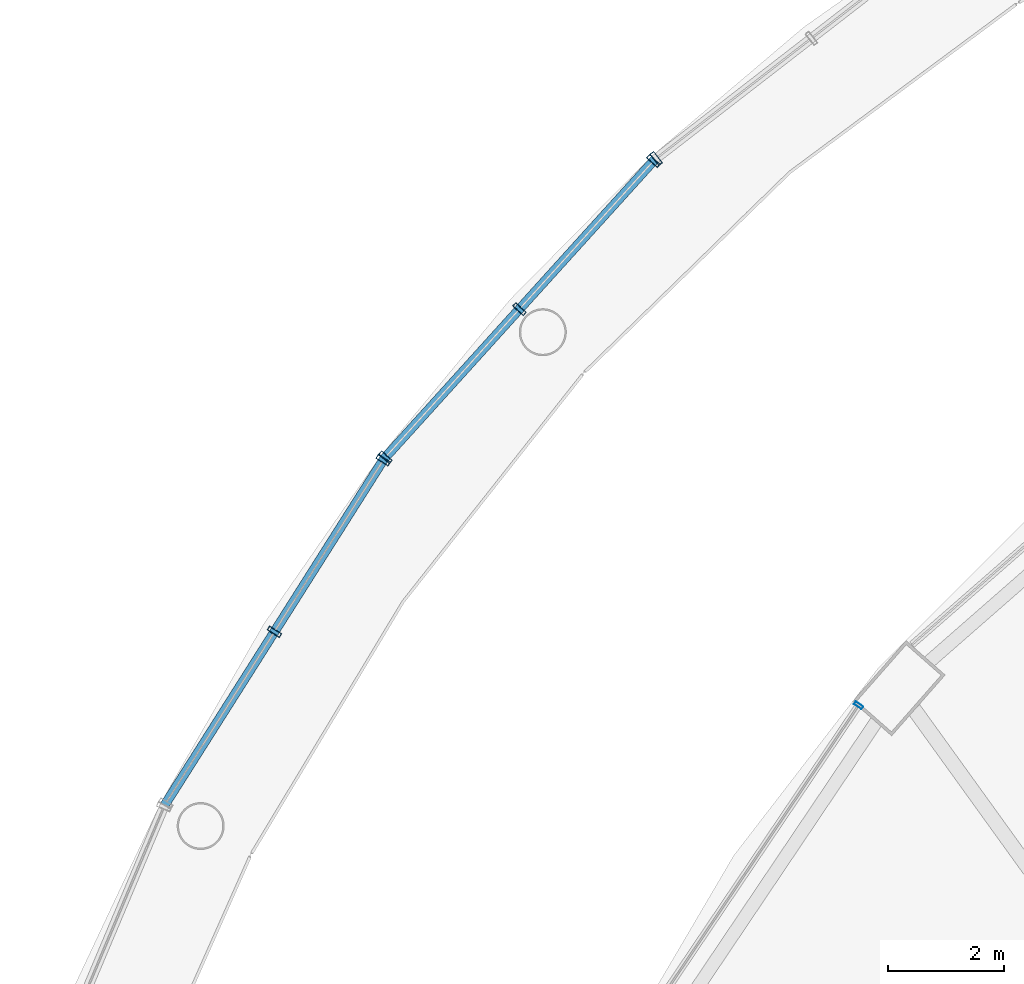
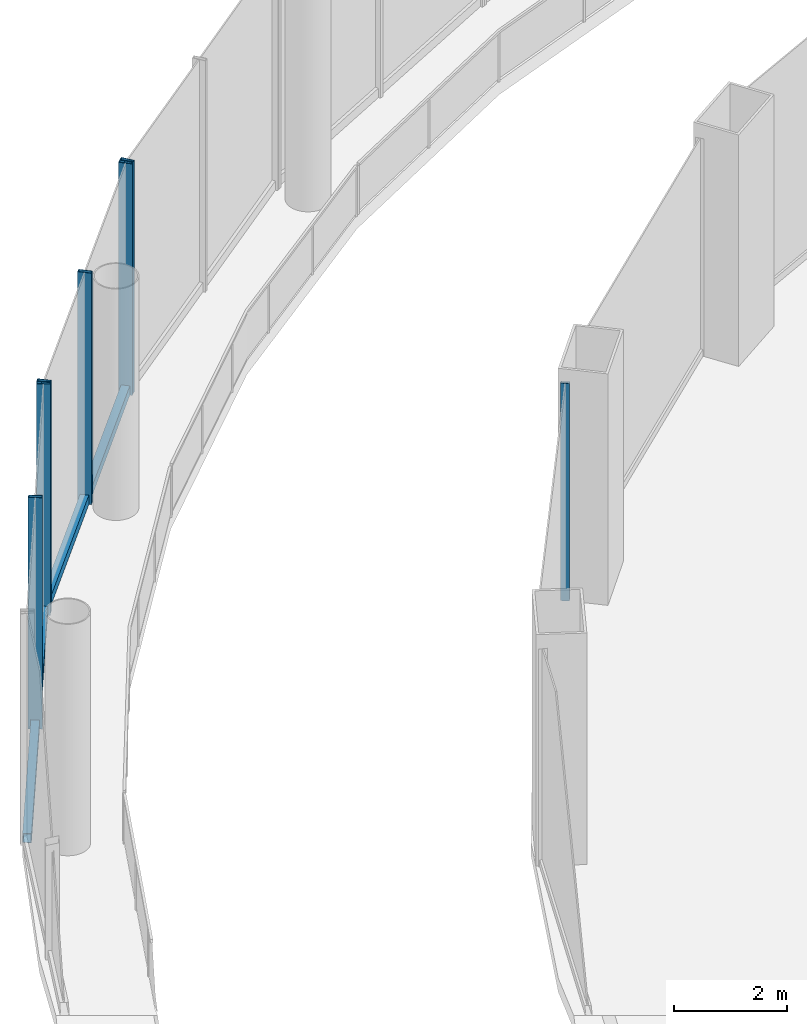
# One storey, part 28 of 47: 9 members, 4 elements without a shape of their own.
"""IFC4 building model written with IfcOpenShell, lengths in metres."""

from ifc_helpers import new_model, si_unit, direction, frame, origin, origin_2d, place, context, subcontext, project, spatial, hollow_rectangle, extrude, material, layer, layer_set, material_profile, profile_set, type_object, element, aggregate, save


model = new_model("IFC4")

# Units and contexts
model_context = context("Model", 3, precision=1e-05, world=origin(), true_north=direction((0.0, 1.0)))
body_context = subcontext(model_context, "Body", "Model", "MODEL_VIEW")
ifc_project = project(units=[si_unit("LENGTHUNIT", "METRE"), si_unit("AREAUNIT", "SQUARE_METRE"), si_unit("VOLUMEUNIT", "CUBIC_METRE"), si_unit("PLANEANGLEUNIT", "RADIAN"), si_unit("MASSUNIT", "GRAM", prefix="KILO")], contexts=[model_context])

# Site, building, storey
site_placement = place(None, origin())
site = spatial("IfcSite", under=ifc_project, at=site_placement, CompositionType="ELEMENT")
building_placement = place(site_placement, origin())
building = spatial("IfcBuilding", under=site, at=building_placement, Name="Nagisa Residences", CompositionType="ELEMENT")
storey_placement = place(building_placement, frame((0.0, 0.0, 7.0)))
storey = spatial("IfcBuildingStorey", under=building, at=storey_placement, Name="L01", CompositionType="ELEMENT", Elevation=7.0)

# Curtain wall, member
ifc_material_1 = material(Name="Stainless steel curtain wall system", Category="steel")
ifc_layer_1 = layer(ifc_material_1, 0.159912109375)
ifc_layer_set_1 = layer_set([ifc_layer_1], Name="CW3 CURTAIN WALL")
curtain_wall_type_1 = type_object("IfcCurtainWallType", Name="CW3 CURTAIN WALL", PredefinedType="NOTDEFINED", material=ifc_layer_set_1)
curtain_wall_1_placement = place(storey_placement, origin())
curtain_wall_1 = element("IfcCurtainWall", 1, at=curtain_wall_1_placement, inside=storey, type_object=curtain_wall_type_1, Name="cw:CW3:L01:12", PredefinedType="NOTDEFINED")
ifc_material_2 = material(Name="Stainless steel", Category="steel")
ifc_material_profile_1 = material_profile(ifc_material_2, hollow_rectangle(XDim=0.25, YDim=0.080078125, WallThickness=0.008056640625, at=origin_2d()), Name="CW3 MULLION 250x80")
ifc_profile_set_1 = profile_set([ifc_material_profile_1], Name="Stainless steel")
member_type_1 = type_object("IfcMemberType", Name="CW3 MULLION 250x80", PredefinedType="MULLION", material=ifc_profile_set_1)
member_1_placement = place(storey_placement, frame((-20.745361328125, 32.135009765625, 0.0), z_axis=(0.0, 0.0, 1.0), x_axis=(0.612034757172, -0.790830864353, 0.0)))
member_1 = element("IfcMember", 2, at=member_1_placement, type_object=member_type_1, Name="CW3 mullion", PredefinedType="MULLION", context=body_context, shape_type="SweptSolid", body=[
    extrude(hollow_rectangle(XDim=0.25, YDim=0.080078125, WallThickness=0.008056640625, at=origin_2d()), origin(), (0.0, 0.0, 1.0), 5.0),
])
aggregate(curtain_wall_1, [member_1])

# Curtain wall, members
curtain_wall_2_placement = place(storey_placement, origin())
curtain_wall_2 = element("IfcCurtainWall", 3, at=curtain_wall_2_placement, inside=storey, type_object=curtain_wall_type_1, Name="cw:CW3:L01:13", PredefinedType="NOTDEFINED")
member_2_placement = place(storey_placement, frame((-20.79345703125, 32.090576171875, 0.0), z_axis=(0.0, 0.0, 1.0), x_axis=(0.741535779122, -0.670913323971, 0.0)))
member_2 = element("IfcMember", 4, at=member_2_placement, type_object=member_type_1, Name="CW3 mullion", PredefinedType="MULLION", context=body_context, shape_type="SweptSolid", body=[
    extrude(hollow_rectangle(XDim=0.25, YDim=0.080078125, WallThickness=0.008056640625, at=origin_2d()), origin(), (0.0, 0.0, 1.0), 5.0),
])
member_3_placement = place(storey_placement, frame((-23.1083984375, 29.53173828125, 0.0), z_axis=(0.0, 0.0, 1.0), x_axis=(0.741535779122, -0.670913323971, 0.0)))
member_3 = element("IfcMember", 5, at=member_3_placement, type_object=member_type_1, Name="CW3 mullion", PredefinedType="MULLION", context=body_context, shape_type="SweptSolid", body=[
    extrude(hollow_rectangle(XDim=0.25, YDim=0.080078125, WallThickness=0.008056640625, at=origin_2d()), origin(), (0.0, 0.0, 1.0), 5.0),
])
member_4_placement = place(storey_placement, frame((-25.423583984375, 26.97314453125, 0.0), z_axis=(0.0, 0.0, 1.0), x_axis=(0.741535779122, -0.670913323971, 0.0)))
member_4 = element("IfcMember", 6, at=member_4_placement, type_object=member_type_1, Name="CW3 mullion", PredefinedType="MULLION", context=body_context, shape_type="SweptSolid", body=[
    extrude(hollow_rectangle(XDim=0.25, YDim=0.080078125, WallThickness=0.008056640625, at=origin_2d()), origin(), (0.0, 0.0, 1.0), 5.0),
])

curtain_wall_3_placement = place(storey_placement, origin())
curtain_wall_3 = element("IfcCurtainWall", 7, at=curtain_wall_3_placement, inside=storey, type_object=curtain_wall_type_1, Name="cw:CW3:L01:14", PredefinedType="NOTDEFINED")
member_5_placement = place(storey_placement, frame((-25.463623046875, 26.92041015625, 0.0), z_axis=(0.0, 0.0, 1.0), x_axis=(0.844747368001, -0.535165286856, 0.0)))
member_5 = element("IfcMember", 8, at=member_5_placement, type_object=member_type_1, Name="CW3 mullion", PredefinedType="MULLION", context=body_context, shape_type="SweptSolid", body=[
    extrude(hollow_rectangle(XDim=0.25, YDim=0.080078125, WallThickness=0.008056640625, at=origin_2d()), origin(), (0.0, 0.0, 1.0), 5.0),
])
member_6_placement = place(storey_placement, frame((-27.341796875, 23.955810546875, 0.0), z_axis=(0.0, 0.0, 1.0), x_axis=(0.844747368001, -0.535165286856, 0.0)))
member_6 = element("IfcMember", 9, at=member_6_placement, type_object=member_type_1, Name="CW3 mullion", PredefinedType="MULLION", context=body_context, shape_type="SweptSolid", body=[
    extrude(hollow_rectangle(XDim=0.25, YDim=0.080078125, WallThickness=0.008056640625, at=origin_2d()), origin(), (0.0, 0.0, 1.0), 5.0),
])

# Member
ifc_material_3 = material(Name="Stainless steel", Category="steel")
ifc_material_profile_2 = material_profile(ifc_material_3, hollow_rectangle(XDim=0.159912109375, YDim=0.199951171875, WallThickness=0.008056640625, at=origin_2d()), Name="CW3 TRANSOM 160x200")
ifc_profile_set_2 = profile_set([ifc_material_profile_2], Name="Stainless steel")
member_type_2 = type_object("IfcMemberType", Name="CW3 TRANSOM 160x200", PredefinedType="USERDEFINED", material=ifc_profile_set_2)
member_7_placement = place(storey_placement, frame((-20.7666015625, 32.1201171875, 0.10009765625), z_axis=(-0.670921565259, -0.741528322635, 0.0), x_axis=(0.741528322635, -0.670921565259, 0.0)))
member_7 = element("IfcMember", 10, at=member_7_placement, type_object=member_type_2, Name="CW3 transom", ObjectType="TRANSOM", PredefinedType="USERDEFINED", context=body_context, shape_type="SweptSolid", body=[
    extrude(hollow_rectangle(XDim=0.159912109375, YDim=0.199951171875, WallThickness=0.008056640625, at=origin_2d()), origin(), (0.0, 0.0, 1.0), 6.981201171875),
])

aggregate(curtain_wall_2, [member_2, member_3, member_4, member_7])

member_8_placement = place(storey_placement, frame((-25.442138671875, 26.954345703125, 0.10009765625), z_axis=(-0.535169889444, -0.844744452147, 0.0), x_axis=(0.844744452147, -0.535169889444, 0.0)))
member_8 = element("IfcMember", 11, at=member_8_placement, type_object=member_type_2, Name="CW3 transom", ObjectType="TRANSOM", PredefinedType="USERDEFINED", context=body_context, shape_type="SweptSolid", body=[
    extrude(hollow_rectangle(XDim=0.159912109375, YDim=0.199951171875, WallThickness=0.008056640625, at=origin_2d()), origin(), (0.0, 0.0, 1.0), 7.099365234375),
])

aggregate(curtain_wall_3, [member_5, member_6, member_8])

# Curtain wall, member
ifc_material_4 = material(Name="Stainless steel curtain wall system", Category="steel")
ifc_layer_2 = layer(ifc_material_4, 0.159912109375)
ifc_layer_set_2 = layer_set([ifc_layer_2], Name="CW6 CURTAIN WALL")
curtain_wall_type_2 = type_object("IfcCurtainWallType", Name="CW6 CURTAIN WALL", PredefinedType="NOTDEFINED", material=ifc_layer_set_2)
curtain_wall_4_placement = place(storey_placement, origin())
curtain_wall_4 = element("IfcCurtainWall", 12, at=curtain_wall_4_placement, inside=storey, type_object=curtain_wall_type_2, Name="cw:CW6:L01:18", PredefinedType="NOTDEFINED")
ifc_material_5 = material(Name="Stainless steel", Category="steel")
ifc_material_profile_3 = material_profile(ifc_material_5, hollow_rectangle(XDim=0.159912109375, YDim=0.06005859375, WallThickness=0.006103515625, at=origin_2d()), Name="CW6 MULLION 160x60")
ifc_profile_set_3 = profile_set([ifc_material_profile_3], Name="Stainless steel")
member_type_3 = type_object("IfcMemberType", Name="CW6 MULLION 160x60", PredefinedType="MULLION", material=ifc_profile_set_3)
member_9_placement = place(storey_placement, frame((-17.247802734375, 22.6845703125, 0.0), z_axis=(0.0, 0.0, 1.0), x_axis=(0.829110926393, -0.559084136544, 0.0)))
member_9 = element("IfcMember", 13, at=member_9_placement, type_object=member_type_3, Name="CW6 mullion", PredefinedType="MULLION", context=body_context, shape_type="SweptSolid", body=[
    extrude(hollow_rectangle(XDim=0.159912109375, YDim=0.06005859375, WallThickness=0.006103515625, at=origin_2d()), origin(), (0.0, 0.0, 1.0), 4.699951171875),
])
aggregate(curtain_wall_4, [member_9])

save(model, "model.ifc")
